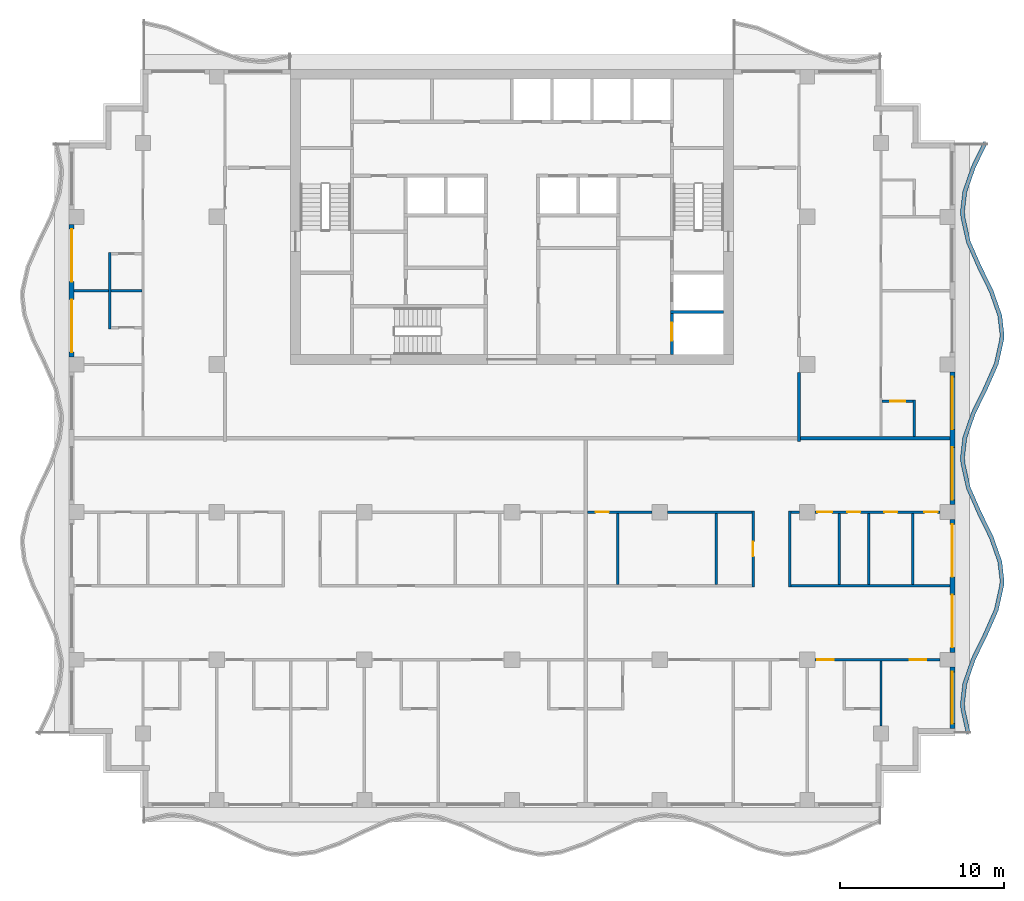
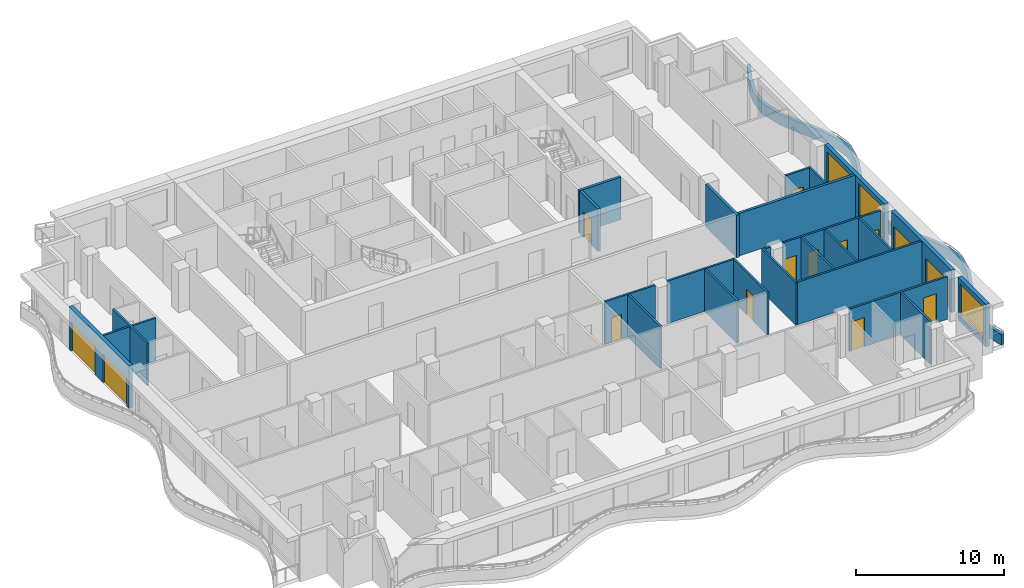
# One storey, part 4 of 11: 28 walls, 14 doors, 3 windows, 17 openings.
"""IFC4 building model written with IfcOpenShell, lengths in metres."""

from ifc_helpers import new_model, si_unit, direction, frame, frame_2d, origin, place, context, subcontext, project, spatial, polyline, rectangle, outline, extrude, material, layer, layer_set, type_object, element, fill, save


model = new_model("IFC4")

# Units and contexts
model_context = context("Model", 3, precision=1e-05, world=origin(), true_north=direction((0.0, 1.0)))
body_context = subcontext(model_context, "Body", "Model", "MODEL_VIEW")
ifc_project = project(units=[si_unit("LENGTHUNIT", "METRE"), si_unit("AREAUNIT", "SQUARE_METRE"), si_unit("VOLUMEUNIT", "CUBIC_METRE"), si_unit("PLANEANGLEUNIT", "RADIAN"), si_unit("MASSUNIT", "GRAM", prefix="KILO")], contexts=[model_context])

# Site, building, storey
site_placement = place(None, origin())
site = spatial("IfcSite", under=ifc_project, at=site_placement, CompositionType="ELEMENT")
building_placement = place(site_placement, origin())
building = spatial("IfcBuilding", under=site, at=building_placement, Name="Orbiselva Terraces", CompositionType="ELEMENT")
storey_placement = place(building_placement, frame((0.0, 0.0, 261.6)))
storey = spatial("IfcBuildingStorey", under=building, at=storey_placement, Name="L66", CompositionType="ELEMENT", Elevation=261.6)

# Wall, opening, door
ifc_material_1 = material(Name="Concrete C60/75", Category="concrete")
ifc_layer_1 = layer(ifc_material_1, 0.2)
ifc_layer_set_1 = layer_set([ifc_layer_1], Name="Concrete C60/75")
wall_type_1 = type_object("IfcWallType", Name="CORE-WALL-SHEAR-200", PredefinedType="SHEAR", material=ifc_layer_set_1)
wall_1_placement = place(storey_placement, frame((9.75, 5.1, 0.0), z_axis=(0.0, 0.0, 1.0), x_axis=(0.0, 1.0, 0.0)))
wall_1 = element("IfcWall", 1, at=wall_1_placement, inside=storey, type_object=wall_type_1, Name="L66 core wall 42", PredefinedType="SHEAR", context=body_context, shape_type="SweptSolid", body=[
    extrude(rectangle(XDim=2.5, YDim=0.2, at=frame_2d((1.25, 0.0))), origin(), (0.0, 0.0, 1.0), 3.5),
])
opening_1_placement = place(wall_1_placement, frame((0.85, 0.0, 0.0)))
opening_1 = element("IfcOpeningElement", 2, at=opening_1_placement, cuts=wall_1, Name="Opening LD-FF1", PredefinedType="OPENING", context=body_context, shape_type="SweptSolid", body=[
    extrude(rectangle(XDim=1.1, YDim=2.1, at=frame_2d((0.55, 1.05))), frame((0.0, 0.11, 0.0), z_axis=(0.0, -1.0, 0.0), x_axis=(1.0, 0.0, 0.0)), (0.0, 0.0, 1.0), 0.22),
])
ifc_material_2 = material(Name="Stainless steel landing door", Category="steel")
door_type_1 = type_object("IfcDoorType", Name="LANDING DOOR 1100", OperationType="SLIDING_TO_LEFT", PredefinedType="DOOR", material=ifc_material_2)
door_1_placement = place(opening_1_placement, origin())
door_1 = element("IfcDoor", 3, at=door_1_placement, inside=storey, type_object=door_type_1, Name="L66 landing door FF1", OperationType="SLIDING_TO_RIGHT", OverallHeight=2.1, OverallWidth=1.1, PredefinedType="DOOR", context=body_context, shape_type="SweptSolid", body=[
    extrude(rectangle(XDim=1.1, YDim=2.1, at=frame_2d((0.55, 1.05))), frame((0.0, 0.025, 0.0), z_axis=(0.0, -1.0, 0.0), x_axis=(1.0, 0.0, 0.0)), (0.0, 0.0, 1.0), 0.05),
])
fill(opening_1, door_1)

# Walls
wall_2_placement = place(storey_placement, frame((9.65, 7.7, 0.0), z_axis=(0.0, 0.0, 1.0), x_axis=(1.0, 0.0, 0.0)))
element("IfcWall", 4, at=wall_2_placement, inside=storey, type_object=wall_type_1, Name="L66 core wall 43", PredefinedType="SHEAR", context=body_context, shape_type="SweptSolid", body=[
    extrude(rectangle(XDim=3.25, YDim=0.2, at=frame_2d((1.625, 0.0))), origin(), (0.0, 0.0, 1.0), 3.5),
])
ifc_material_3 = material(Name="Concrete C40/50", Category="concrete")
ifc_layer_2 = layer(ifc_material_3, 0.25)
ifc_layer_set_2 = layer_set([ifc_layer_2], Name="Concrete C40/50")
wall_type_2 = type_object("IfcWallType", Name="ENV-PLANTER-250x900", PredefinedType="USERDEFINED", material=ifc_layer_set_2)
wall_3_placement = place(storey_placement, origin())
element("IfcWall", 5, at=wall_3_placement, inside=storey, type_object=wall_type_2, Name="Balcony planter L66 E", ObjectType="PLANTER", PredefinedType="USERDEFINED", context=body_context, shape_type="SweptSolid", body=[
    extrude(outline(polyline([(27.951472, -18.0), (27.614774, -16.5), (27.6, -16.125), (27.730792, -15.0), (28.255211, -13.5), (28.987721, -12.0), (29.648528, -10.5), (29.985226, -9.0), (30.0, -8.625), (29.869208, -7.5), (29.344789, -6.0), (28.612279, -4.5), (27.951472, -3.0), (27.614774, -1.5), (27.6, -1.125), (27.730792, 0.0), (28.255211, 1.5), (28.987721, 3.0), (29.648528, 4.5), (29.985226, 6.0), (30.0, 6.375), (29.869208, 7.5), (29.344789, 9.0), (28.612279, 10.5), (27.951472, 12.0), (27.614774, 13.5), (27.6, 13.875), (27.730792, 15.0), (28.255211, 16.5), (28.987721, 18.0), (28.763076, 18.109703), (28.024089, 16.59644), (27.485662, 15.056371), (27.349429, 13.884572), (27.365863, 13.467435), (27.712874, 11.921492), (28.385477, 10.394714), (29.113667, 8.90356), (29.624078, 7.443629), (29.749429, 6.365428), (29.736315, 6.032565), (29.40993, 4.578508), (28.760919, 3.105286), (28.024089, 1.59644), (27.485662, 0.056371), (27.349429, -1.115428), (27.365863, -1.532565), (27.712874, -3.078508), (28.385477, -4.605286), (29.113667, -6.09644), (29.624078, -7.556371), (29.749429, -8.634572), (29.736315, -8.967435), (29.40993, -10.421492), (28.760919, -11.894714), (28.024089, -13.40356), (27.485662, -14.943629), (27.349429, -16.115428), (27.365863, -16.532565), (27.707542, -18.054754), (27.951472, -18.0)])), origin(), (0.0, 0.0, 1.0), 0.9),
])

# Wall, opening, window
ifc_material_4 = material(Name="Terracotta cladding on masonry backing", Category="masonry")
ifc_layer_3 = layer(ifc_material_4, 0.3)
ifc_layer_set_3 = layer_set([ifc_layer_3], Name="Terracotta cladding on masonry backing")
wall_type_3 = type_object("IfcWallType", Name="ENV-WALL-TERRACOTTA-300", PredefinedType="SOLIDWALL", material=ifc_layer_set_3)
wall_4_placement = place(storey_placement, frame((26.85, -13.95, 0.0), z_axis=(0.0, 0.0, 1.0), x_axis=(0.0, -1.0, 0.0)))
wall_4 = element("IfcWall", 6, at=wall_4_placement, inside=storey, type_object=wall_type_3, Name="Facade wall L66 E", PredefinedType="SOLIDWALL", context=body_context, shape_type="SweptSolid", body=[
    extrude(rectangle(XDim=3.75, YDim=0.3, at=frame_2d((1.875, 0.0))), origin(), (0.0, 0.0, 1.0), 3.5),
])
opening_2_placement = place(wall_4_placement, frame((0.3, 0.0, 0.45)))
opening_2 = element("IfcOpeningElement", 7, at=opening_2_placement, cuts=wall_4, Name="Opening WN16", PredefinedType="OPENING", context=body_context, shape_type="SweptSolid", body=[
    extrude(rectangle(XDim=3.15, YDim=2.65, at=frame_2d((1.575, 1.325))), frame((0.0, 0.16, 0.0), z_axis=(0.0, -1.0, 0.0), x_axis=(1.0, 0.0, 0.0)), (0.0, 0.0, 1.0), 0.32),
])
ifc_material_5 = material(Name="Clear low-e glazing in aluminium frame", Category="aluminium")
window_type_1 = type_object("IfcWindowType", Name="WINDOW 3150 X 2650 S450", PartitioningType="TRIPLE_PANEL_VERTICAL", PredefinedType="WINDOW", material=ifc_material_5)
window_1_placement = place(opening_2_placement, origin())
window_1 = element("IfcWindow", 8, at=window_1_placement, inside=storey, type_object=window_type_1, Name="Window L66 E", OverallHeight=2.65, OverallWidth=3.15, PartitioningType="SINGLE_PANEL", PredefinedType="WINDOW", context=body_context, shape_type="SweptSolid", body=[
    extrude(rectangle(XDim=3.15, YDim=2.65, at=frame_2d((1.575, 1.325))), frame((0.0, 0.03, 0.0), z_axis=(0.0, -1.0, 0.0), x_axis=(1.0, 0.0, 0.0)), (0.0, 0.0, 1.0), 0.06),
])
fill(opening_2, window_1)

# Wall, openings, doors
wall_5_placement = place(storey_placement, frame((26.85, -4.95, 0.0), z_axis=(0.0, 0.0, 1.0), x_axis=(0.0, -1.0, 0.0)))
wall_5 = element("IfcWall", 9, at=wall_5_placement, inside=storey, type_object=wall_type_3, Name="Facade wall L66 E", PredefinedType="SOLIDWALL", context=body_context, shape_type="SweptSolid", body=[
    extrude(rectangle(XDim=8.1, YDim=0.3, at=frame_2d((4.05, 0.0))), origin(), (0.0, 0.0, 1.0), 3.5),
])
opening_3_placement = place(wall_5_placement, frame((4.6, 0.0, 0.0)))
opening_3 = element("IfcOpeningElement", 10, at=opening_3_placement, cuts=wall_5, Name="Opening Z5-C-E05", PredefinedType="OPENING", context=body_context, shape_type="SweptSolid", body=[
    extrude(rectangle(XDim=3.2, YDim=2.4, at=frame_2d((1.6, 1.2))), frame((0.0, 0.16, 0.0), z_axis=(0.0, -1.0, 0.0), x_axis=(1.0, 0.0, 0.0)), (0.0, 0.0, 1.0), 0.32),
])
opening_4_placement = place(wall_5_placement, frame((0.3, 0.0, 0.0)))
opening_4 = element("IfcOpeningElement", 11, at=opening_4_placement, cuts=wall_5, Name="Opening Z5-C-E06", PredefinedType="OPENING", context=body_context, shape_type="SweptSolid", body=[
    extrude(rectangle(XDim=3.2, YDim=2.4, at=frame_2d((1.6, 1.2))), frame((0.0, 0.16, 0.0), z_axis=(0.0, -1.0, 0.0), x_axis=(1.0, 0.0, 0.0)), (0.0, 0.0, 1.0), 0.32),
])
door_type_2 = type_object("IfcDoorType", Name="BALCONY DOOR 3200 X 2400", OperationType="DOUBLE_DOOR_SLIDING", PredefinedType="DOOR", material=ifc_material_5)
door_2_placement = place(opening_3_placement, origin())
door_2 = element("IfcDoor", 12, at=door_2_placement, inside=storey, type_object=door_type_2, Name="Z5-C-E05", OperationType="SINGLE_SWING_LEFT", OverallHeight=2.4, OverallWidth=3.2, PredefinedType="DOOR", context=body_context, shape_type="SweptSolid", body=[
    extrude(rectangle(XDim=3.2, YDim=2.4, at=frame_2d((1.6, 1.2))), frame((0.0, 0.025, 0.0), z_axis=(0.0, -1.0, 0.0), x_axis=(1.0, 0.0, 0.0)), (0.0, 0.0, 1.0), 0.05),
])
fill(opening_3, door_2)
door_3_placement = place(opening_4_placement, origin())
door_3 = element("IfcDoor", 13, at=door_3_placement, inside=storey, type_object=door_type_2, Name="Z5-C-E06", OperationType="SINGLE_SWING_LEFT", OverallHeight=2.4, OverallWidth=3.2, PredefinedType="DOOR", context=body_context, shape_type="SweptSolid", body=[
    extrude(rectangle(XDim=3.2, YDim=2.4, at=frame_2d((1.6, 1.2))), frame((0.0, 0.025, 0.0), z_axis=(0.0, -1.0, 0.0), x_axis=(1.0, 0.0, 0.0)), (0.0, 0.0, 1.0), 0.05),
])
fill(opening_4, door_3)

# Wall, openings, windows
wall_6_placement = place(storey_placement, frame((26.85, 4.05, 0.0), z_axis=(0.0, 0.0, 1.0), x_axis=(0.0, -1.0, 0.0)))
wall_6 = element("IfcWall", 14, at=wall_6_placement, inside=storey, type_object=wall_type_3, Name="Facade wall L66 E", PredefinedType="SOLIDWALL", context=body_context, shape_type="SweptSolid", body=[
    extrude(rectangle(XDim=8.1, YDim=0.3, at=frame_2d((4.05, 0.0))), origin(), (0.0, 0.0, 1.0), 3.5),
])
opening_5_placement = place(wall_6_placement, frame((4.6, 0.0, 0.45)))
opening_5 = element("IfcOpeningElement", 15, at=opening_5_placement, cuts=wall_6, Name="Opening WN17", PredefinedType="OPENING", context=body_context, shape_type="SweptSolid", body=[
    extrude(rectangle(XDim=3.2, YDim=2.65, at=frame_2d((1.6, 1.325))), frame((0.0, 0.16, 0.0), z_axis=(0.0, -1.0, 0.0), x_axis=(1.0, 0.0, 0.0)), (0.0, 0.0, 1.0), 0.32),
])
opening_6_placement = place(wall_6_placement, frame((0.3, 0.0, 0.45)))
opening_6 = element("IfcOpeningElement", 16, at=opening_6_placement, cuts=wall_6, Name="Opening WN17", PredefinedType="OPENING", context=body_context, shape_type="SweptSolid", body=[
    extrude(rectangle(XDim=3.2, YDim=2.65, at=frame_2d((1.6, 1.325))), frame((0.0, 0.16, 0.0), z_axis=(0.0, -1.0, 0.0), x_axis=(1.0, 0.0, 0.0)), (0.0, 0.0, 1.0), 0.32),
])
window_type_2 = type_object("IfcWindowType", Name="WINDOW 3200 X 2650 S450", PartitioningType="TRIPLE_PANEL_VERTICAL", PredefinedType="WINDOW", material=ifc_material_5)
window_2_placement = place(opening_5_placement, origin())
window_2 = element("IfcWindow", 17, at=window_2_placement, inside=storey, type_object=window_type_2, Name="Window L66 E", OverallHeight=2.65, OverallWidth=3.2, PartitioningType="SINGLE_PANEL", PredefinedType="WINDOW", context=body_context, shape_type="SweptSolid", body=[
    extrude(rectangle(XDim=3.2, YDim=2.65, at=frame_2d((1.6, 1.325))), frame((0.0, 0.03, 0.0), z_axis=(0.0, -1.0, 0.0), x_axis=(1.0, 0.0, 0.0)), (0.0, 0.0, 1.0), 0.06),
])
fill(opening_5, window_2)
window_3_placement = place(opening_6_placement, origin())
window_3 = element("IfcWindow", 18, at=window_3_placement, inside=storey, type_object=window_type_2, Name="Window L66 E", OverallHeight=2.65, OverallWidth=3.2, PartitioningType="SINGLE_PANEL", PredefinedType="WINDOW", context=body_context, shape_type="SweptSolid", body=[
    extrude(rectangle(XDim=3.2, YDim=2.65, at=frame_2d((1.6, 1.325))), frame((0.0, 0.03, 0.0), z_axis=(0.0, -1.0, 0.0), x_axis=(1.0, 0.0, 0.0)), (0.0, 0.0, 1.0), 0.06),
])
fill(opening_6, window_3)

# Wall, openings, doors
wall_7_placement = place(storey_placement, frame((-26.85, 4.95, 0.0), z_axis=(0.0, 0.0, 1.0), x_axis=(0.0, 1.0, 0.0)))
wall_7 = element("IfcWall", 19, at=wall_7_placement, inside=storey, type_object=wall_type_3, Name="Facade wall L66 W", PredefinedType="SOLIDWALL", context=body_context, shape_type="SweptSolid", body=[
    extrude(rectangle(XDim=8.1, YDim=0.3, at=frame_2d((4.05, 0.0))), origin(), (0.0, 0.0, 1.0), 3.5),
])
opening_7_placement = place(wall_7_placement, frame((4.6, 0.0, 0.0)))
opening_7 = element("IfcOpeningElement", 20, at=opening_7_placement, cuts=wall_7, Name="Opening Z5-C-E10", PredefinedType="OPENING", context=body_context, shape_type="SweptSolid", body=[
    extrude(rectangle(XDim=3.2, YDim=2.4, at=frame_2d((1.6, 1.2))), frame((0.0, 0.16, 0.0), z_axis=(0.0, -1.0, 0.0), x_axis=(1.0, 0.0, 0.0)), (0.0, 0.0, 1.0), 0.32),
])
opening_8_placement = place(wall_7_placement, frame((0.3, 0.0, 0.0)))
opening_8 = element("IfcOpeningElement", 21, at=opening_8_placement, cuts=wall_7, Name="Opening Z5-C-E11", PredefinedType="OPENING", context=body_context, shape_type="SweptSolid", body=[
    extrude(rectangle(XDim=3.2, YDim=2.4, at=frame_2d((1.6, 1.2))), frame((0.0, 0.16, 0.0), z_axis=(0.0, -1.0, 0.0), x_axis=(1.0, 0.0, 0.0)), (0.0, 0.0, 1.0), 0.32),
])
door_4_placement = place(opening_7_placement, origin())
door_4 = element("IfcDoor", 22, at=door_4_placement, inside=storey, type_object=door_type_2, Name="Z5-C-E10", OperationType="SINGLE_SWING_LEFT", OverallHeight=2.4, OverallWidth=3.2, PredefinedType="DOOR", context=body_context, shape_type="SweptSolid", body=[
    extrude(rectangle(XDim=3.2, YDim=2.4, at=frame_2d((1.6, 1.2))), frame((0.0, 0.025, 0.0), z_axis=(0.0, -1.0, 0.0), x_axis=(1.0, 0.0, 0.0)), (0.0, 0.0, 1.0), 0.05),
])
fill(opening_7, door_4)
door_5_placement = place(opening_8_placement, origin())
door_5 = element("IfcDoor", 23, at=door_5_placement, inside=storey, type_object=door_type_2, Name="Z5-C-E11", OperationType="SINGLE_SWING_LEFT", OverallHeight=2.4, OverallWidth=3.2, PredefinedType="DOOR", context=body_context, shape_type="SweptSolid", body=[
    extrude(rectangle(XDim=3.2, YDim=2.4, at=frame_2d((1.6, 1.2))), frame((0.0, 0.025, 0.0), z_axis=(0.0, -1.0, 0.0), x_axis=(1.0, 0.0, 0.0)), (0.0, 0.0, 1.0), 0.05),
])
fill(opening_8, door_5)

# Wall
ifc_material_6 = material(Name="Plasterboard on steel stud partition", Category="steel")
ifc_layer_4 = layer(ifc_material_6, 0.2)
ifc_layer_set_4 = layer_set([ifc_layer_4], Name="Plasterboard on steel stud partition")
wall_type_4 = type_object("IfcWallType", Name="UNIT-ENTRANCE-WALL-200", PredefinedType="PARTITIONING", material=ifc_layer_set_4)
wall_8_placement = place(storey_placement, frame((17.5, -0.2, 0.0), z_axis=(0.0, 0.0, 1.0), x_axis=(0.0, 1.0, 0.0)))
element("IfcWall", 24, at=wall_8_placement, inside=storey, type_object=wall_type_4, Name="PARTITION L66-079", PredefinedType="PARTITIONING", context=body_context, shape_type="SweptSolid", body=[
    extrude(rectangle(XDim=4.225, YDim=0.2, at=frame_2d((2.1125, 0.0))), origin(), (0.0, 0.0, 1.0), 3.5),
])

# Wall, openings, doors
ifc_layer_5 = layer(ifc_material_6, 0.15)
ifc_layer_set_5 = layer_set([ifc_layer_5], Name="Plasterboard on steel stud partition")
wall_type_5 = type_object("IfcWallType", Name="UNIT-PARTITION-150", PredefinedType="PARTITIONING", material=ifc_layer_set_5)
wall_9_placement = place(storey_placement, frame((26.1, -13.5, 0.0), z_axis=(0.0, 0.0, 1.0), x_axis=(-1.0, 0.0, 0.0)))
wall_9 = element("IfcWall", 25, at=wall_9_placement, inside=storey, type_object=wall_type_5, Name="PARTITION L66-015", PredefinedType="PARTITIONING", context=body_context, shape_type="SweptSolid", body=[
    extrude(rectangle(XDim=7.625, YDim=0.15, at=frame_2d((3.8125, 0.0))), origin(), (0.0, 0.0, 1.0), 3.5),
])
opening_9_placement = place(wall_9_placement, frame((6.475, 0.0, 0.0)))
opening_9 = element("IfcOpeningElement", 26, at=opening_9_placement, cuts=wall_9, Name="Opening Z5-C-49", PredefinedType="OPENING", context=body_context, shape_type="SweptSolid", body=[
    extrude(rectangle(XDim=1.0, YDim=2.4, at=frame_2d((0.5, 1.2))), frame((0.0, 0.085, 0.0), z_axis=(0.0, -1.0, 0.0), x_axis=(1.0, 0.0, 0.0)), (0.0, 0.0, 1.0), 0.17),
])
opening_10_placement = place(wall_9_placement, frame((0.85, 0.0, 0.0)))
opening_10 = element("IfcOpeningElement", 27, at=opening_10_placement, cuts=wall_9, Name="Opening Z5-C-51", PredefinedType="OPENING", context=body_context, shape_type="SweptSolid", body=[
    extrude(rectangle(XDim=1.0, YDim=2.4, at=frame_2d((0.5, 1.2))), frame((0.0, 0.085, 0.0), z_axis=(0.0, -1.0, 0.0), x_axis=(1.0, 0.0, 0.0)), (0.0, 0.0, 1.0), 0.17),
])
ifc_material_7 = material(Name="Painted timber door leaf", Category="wood")
door_type_3 = type_object("IfcDoorType", Name="ROOM DOOR 1000", OperationType="NOTDEFINED", PredefinedType="DOOR", material=ifc_material_7)
door_6_placement = place(opening_9_placement, origin())
door_6 = element("IfcDoor", 28, at=door_6_placement, inside=storey, type_object=door_type_3, Name="Z5-C-49", OperationType="SINGLE_SWING_RIGHT", OverallHeight=2.4, OverallWidth=1.0, PredefinedType="DOOR", context=body_context, shape_type="SweptSolid", body=[
    extrude(rectangle(XDim=1.0, YDim=2.4, at=frame_2d((0.5, 1.2))), frame((0.0, 0.025, 0.0), z_axis=(0.0, -1.0, 0.0), x_axis=(1.0, 0.0, 0.0)), (0.0, 0.0, 1.0), 0.05),
])
fill(opening_9, door_6)
door_7_placement = place(opening_10_placement, origin())
door_7 = element("IfcDoor", 29, at=door_7_placement, inside=storey, type_object=door_type_3, Name="Z5-C-51", OperationType="SINGLE_SWING_LEFT", OverallHeight=2.4, OverallWidth=1.0, PredefinedType="DOOR", context=body_context, shape_type="SweptSolid", body=[
    extrude(rectangle(XDim=1.0, YDim=2.4, at=frame_2d((0.5, 1.2))), frame((0.0, 0.025, 0.0), z_axis=(0.0, -1.0, 0.0), x_axis=(1.0, 0.0, 0.0)), (0.0, 0.0, 1.0), 0.05),
])
fill(opening_10, door_7)

# Wall
wall_10_placement = place(storey_placement, frame((17.025, -9.0, 0.0), z_axis=(0.0, 0.0, 1.0), x_axis=(1.0, 0.0, 0.0)))
element("IfcWall", 30, at=wall_10_placement, inside=storey, type_object=wall_type_5, Name="PARTITION L66-019", PredefinedType="PARTITIONING", context=body_context, shape_type="SweptSolid", body=[
    extrude(rectangle(XDim=9.675, YDim=0.15, at=frame_2d((4.8375, 0.0))), origin(), (0.0, 0.0, 1.0), 3.5),
])

# Wall, opening, door
wall_11_placement = place(storey_placement, frame((8.525, -4.5, 0.0), z_axis=(0.0, 0.0, 1.0), x_axis=(-1.0, 0.0, 0.0)))
wall_11 = element("IfcWall", 31, at=wall_11_placement, inside=storey, type_object=wall_type_5, Name="PARTITION L66-025", PredefinedType="PARTITIONING", context=body_context, shape_type="SweptSolid", body=[
    extrude(rectangle(XDim=3.925, YDim=0.15, at=frame_2d((1.9625, 0.0))), origin(), (0.0, 0.0, 1.0), 3.5),
])
opening_11_placement = place(wall_11_placement, frame((2.625, 0.0, 0.0)))
opening_11 = element("IfcOpeningElement", 32, at=opening_11_placement, cuts=wall_11, Name="Opening Z5-C-38", PredefinedType="OPENING", context=body_context, shape_type="SweptSolid", body=[
    extrude(rectangle(XDim=0.8, YDim=2.0, at=frame_2d((0.4, 1.0))), frame((0.0, 0.085, 0.0), z_axis=(0.0, -1.0, 0.0), x_axis=(1.0, 0.0, 0.0)), (0.0, 0.0, 1.0), 0.17),
])
door_type_4 = type_object("IfcDoorType", Name="STORE DOOR 800", OperationType="NOTDEFINED", PredefinedType="DOOR", material=ifc_material_7)
door_8_placement = place(opening_11_placement, origin())
door_8 = element("IfcDoor", 33, at=door_8_placement, inside=storey, type_object=door_type_4, Name="Z5-C-38", OperationType="SINGLE_SWING_RIGHT", OverallHeight=2.0, OverallWidth=0.8, PredefinedType="DOOR", context=body_context, shape_type="SweptSolid", body=[
    extrude(rectangle(XDim=0.8, YDim=2.0, at=frame_2d((0.4, 1.0))), frame((0.0, 0.025, 0.0), z_axis=(0.0, -1.0, 0.0), x_axis=(1.0, 0.0, 0.0)), (0.0, 0.0, 1.0), 0.05),
])
fill(opening_11, door_8)

# Walls
wall_12_placement = place(storey_placement, frame((9.475, -4.5, 0.0), z_axis=(0.0, 0.0, 1.0), x_axis=(1.0, 0.0, 0.0)))
element("IfcWall", 34, at=wall_12_placement, inside=storey, type_object=wall_type_5, Name="PARTITION L66-026", PredefinedType="PARTITIONING", context=body_context, shape_type="SweptSolid", body=[
    extrude(rectangle(XDim=5.15, YDim=0.15, at=frame_2d((2.575, 0.0))), origin(), (0.0, 0.0, 1.0), 3.5),
])
wall_13_placement = place(storey_placement, frame((17.025, -4.5, 0.0), z_axis=(0.0, 0.0, 1.0), x_axis=(1.0, 0.0, 0.0)))
element("IfcWall", 35, at=wall_13_placement, inside=storey, type_object=wall_type_5, Name="PARTITION L66-027", PredefinedType="PARTITIONING", context=body_context, shape_type="SweptSolid", body=[
    extrude(rectangle(XDim=0.5, YDim=0.15, at=frame_2d((0.25, 0.0))), origin(), (0.0, 0.0, 1.0), 3.5),
])

# Wall, openings, doors
wall_14_placement = place(storey_placement, frame((26.1, -4.5, 0.0), z_axis=(0.0, 0.0, 1.0), x_axis=(-1.0, 0.0, 0.0)))
wall_14 = element("IfcWall", 36, at=wall_14_placement, inside=storey, type_object=wall_type_5, Name="PARTITION L66-028", PredefinedType="PARTITIONING", context=body_context, shape_type="SweptSolid", body=[
    extrude(rectangle(XDim=7.625, YDim=0.15, at=frame_2d((3.8125, 0.0))), origin(), (0.0, 0.0, 1.0), 3.5),
])
opening_12_placement = place(wall_14_placement, frame((6.575, 0.0, 0.0)))
opening_12 = element("IfcOpeningElement", 37, at=opening_12_placement, cuts=wall_14, Name="Opening Z5-C-41", PredefinedType="OPENING", context=body_context, shape_type="SweptSolid", body=[
    extrude(rectangle(XDim=0.9, YDim=2.1, at=frame_2d((0.45, 1.05))), frame((0.0, 0.085, 0.0), z_axis=(0.0, -1.0, 0.0), x_axis=(1.0, 0.0, 0.0)), (0.0, 0.0, 1.0), 0.17),
])
opening_13_placement = place(wall_14_placement, frame((4.85, 0.0, 0.0)))
opening_13 = element("IfcOpeningElement", 38, at=opening_13_placement, cuts=wall_14, Name="Opening Z5-C-42", PredefinedType="OPENING", context=body_context, shape_type="SweptSolid", body=[
    extrude(rectangle(XDim=0.8, YDim=2.0, at=frame_2d((0.4, 1.0))), frame((0.0, 0.085, 0.0), z_axis=(0.0, -1.0, 0.0), x_axis=(1.0, 0.0, 0.0)), (0.0, 0.0, 1.0), 0.17),
])
opening_14_placement = place(wall_14_placement, frame((2.6, 0.0, 0.0)))
opening_14 = element("IfcOpeningElement", 39, at=opening_14_placement, cuts=wall_14, Name="Opening Z5-C-43", PredefinedType="OPENING", context=body_context, shape_type="SweptSolid", body=[
    extrude(rectangle(XDim=0.8, YDim=2.0, at=frame_2d((0.4, 1.0))), frame((0.0, 0.085, 0.0), z_axis=(0.0, -1.0, 0.0), x_axis=(1.0, 0.0, 0.0)), (0.0, 0.0, 1.0), 0.17),
])
opening_15_placement = place(wall_14_placement, frame((0.15, 0.0, 0.0)))
opening_15 = element("IfcOpeningElement", 40, at=opening_15_placement, cuts=wall_14, Name="Opening Z5-C-44", PredefinedType="OPENING", context=body_context, shape_type="SweptSolid", body=[
    extrude(rectangle(XDim=0.8, YDim=2.0, at=frame_2d((0.4, 1.0))), frame((0.0, 0.085, 0.0), z_axis=(0.0, -1.0, 0.0), x_axis=(1.0, 0.0, 0.0)), (0.0, 0.0, 1.0), 0.17),
])
door_type_5 = type_object("IfcDoorType", Name="SERVICE DOOR 900", OperationType="NOTDEFINED", PredefinedType="DOOR", material=ifc_material_7)
door_9_placement = place(opening_12_placement, origin())
door_9 = element("IfcDoor", 41, at=door_9_placement, inside=storey, type_object=door_type_5, Name="Z5-C-41", OperationType="SINGLE_SWING_RIGHT", OverallHeight=2.1, OverallWidth=0.9, PredefinedType="DOOR", context=body_context, shape_type="SweptSolid", body=[
    extrude(rectangle(XDim=0.9, YDim=2.1, at=frame_2d((0.45, 1.05))), frame((0.0, 0.025, 0.0), z_axis=(0.0, -1.0, 0.0), x_axis=(1.0, 0.0, 0.0)), (0.0, 0.0, 1.0), 0.05),
])
fill(opening_12, door_9)
door_10_placement = place(opening_13_placement, origin())
door_10 = element("IfcDoor", 42, at=door_10_placement, inside=storey, type_object=door_type_4, Name="Z5-C-42", OperationType="SINGLE_SWING_RIGHT", OverallHeight=2.0, OverallWidth=0.8, PredefinedType="DOOR", context=body_context, shape_type="SweptSolid", body=[
    extrude(rectangle(XDim=0.8, YDim=2.0, at=frame_2d((0.4, 1.0))), frame((0.0, 0.025, 0.0), z_axis=(0.0, -1.0, 0.0), x_axis=(1.0, 0.0, 0.0)), (0.0, 0.0, 1.0), 0.05),
])
fill(opening_13, door_10)
door_11_placement = place(opening_14_placement, origin())
door_11 = element("IfcDoor", 43, at=door_11_placement, inside=storey, type_object=door_type_4, Name="Z5-C-43", OperationType="SINGLE_SWING_LEFT", OverallHeight=2.0, OverallWidth=0.8, PredefinedType="DOOR", context=body_context, shape_type="SweptSolid", body=[
    extrude(rectangle(XDim=0.8, YDim=2.0, at=frame_2d((0.4, 1.0))), frame((0.0, 0.025, 0.0), z_axis=(0.0, -1.0, 0.0), x_axis=(1.0, 0.0, 0.0)), (0.0, 0.0, 1.0), 0.05),
])
fill(opening_14, door_11)
door_12_placement = place(opening_15_placement, origin())
door_12 = element("IfcDoor", 44, at=door_12_placement, inside=storey, type_object=door_type_4, Name="Z5-C-44", OperationType="SINGLE_SWING_LEFT", OverallHeight=2.0, OverallWidth=0.8, PredefinedType="DOOR", context=body_context, shape_type="SweptSolid", body=[
    extrude(rectangle(XDim=0.8, YDim=2.0, at=frame_2d((0.4, 1.0))), frame((0.0, 0.025, 0.0), z_axis=(0.0, -1.0, 0.0), x_axis=(1.0, 0.0, 0.0)), (0.0, 0.0, 1.0), 0.05),
])
fill(opening_15, door_12)

# Wall, opening, door
wall_15_placement = place(storey_placement, frame((24.45, 2.25, 0.0), z_axis=(0.0, 0.0, 1.0), x_axis=(-1.0, 0.0, 0.0)))
wall_15 = element("IfcWall", 45, at=wall_15_placement, inside=storey, type_object=wall_type_5, Name="PARTITION L66-032", PredefinedType="PARTITIONING", context=body_context, shape_type="SweptSolid", body=[
    extrude(rectangle(XDim=1.875, YDim=0.15, at=frame_2d((0.9375, 0.0))), origin(), (0.0, 0.0, 1.0), 3.5),
])
opening_16_placement = place(wall_15_placement, frame((0.475, 0.0, 0.0)))
opening_16 = element("IfcOpeningElement", 46, at=opening_16_placement, cuts=wall_15, Name="Opening Z5-C-11", PredefinedType="OPENING", context=body_context, shape_type="SweptSolid", body=[
    extrude(rectangle(XDim=0.9, YDim=2.1, at=frame_2d((0.45, 1.05))), frame((0.0, 0.085, 0.0), z_axis=(0.0, -1.0, 0.0), x_axis=(1.0, 0.0, 0.0)), (0.0, 0.0, 1.0), 0.17),
])
door_type_6 = type_object("IfcDoorType", Name="BATH DOOR 900", OperationType="NOTDEFINED", PredefinedType="DOOR", material=ifc_material_7)
door_13_placement = place(opening_16_placement, origin())
door_13 = element("IfcDoor", 47, at=door_13_placement, inside=storey, type_object=door_type_6, Name="Z5-C-11", OperationType="SINGLE_SWING_LEFT", OverallHeight=2.1, OverallWidth=0.9, PredefinedType="DOOR", context=body_context, shape_type="SweptSolid", body=[
    extrude(rectangle(XDim=0.9, YDim=2.1, at=frame_2d((0.45, 1.05))), frame((0.0, 0.025, 0.0), z_axis=(0.0, -1.0, 0.0), x_axis=(1.0, 0.0, 0.0)), (0.0, 0.0, 1.0), 0.05),
])
fill(opening_16, door_13)

# Walls
wall_16_placement = place(storey_placement, frame((-26.7, 9.0, 0.0), z_axis=(0.0, 0.0, 1.0), x_axis=(1.0, 0.0, 0.0)))
element("IfcWall", 48, at=wall_16_placement, inside=storey, type_object=wall_type_5, Name="PARTITION L66-035", PredefinedType="PARTITIONING", context=body_context, shape_type="SweptSolid", body=[
    extrude(rectangle(XDim=2.1, YDim=0.15, at=frame_2d((1.05, 0.0))), origin(), (0.0, 0.0, 1.0), 3.5),
])
wall_17_placement = place(storey_placement, frame((-24.45, 9.0, 0.0), z_axis=(0.0, 0.0, 1.0), x_axis=(1.0, 0.0, 0.0)))
element("IfcWall", 49, at=wall_17_placement, inside=storey, type_object=wall_type_5, Name="PARTITION L66-036", PredefinedType="PARTITIONING", context=body_context, shape_type="SweptSolid", body=[
    extrude(rectangle(XDim=1.875, YDim=0.15, at=frame_2d((0.9375, 0.0))), origin(), (0.0, 0.0, 1.0), 3.5),
])
wall_18_placement = place(storey_placement, frame((-24.525, 6.675, 0.0), z_axis=(0.0, 0.0, 1.0), x_axis=(0.0, 1.0, 0.0)))
element("IfcWall", 50, at=wall_18_placement, inside=storey, type_object=wall_type_5, Name="PARTITION L66-044", PredefinedType="PARTITIONING", context=body_context, shape_type="SweptSolid", body=[
    extrude(rectangle(XDim=4.65, YDim=0.15, at=frame_2d((2.325, 0.0))), origin(), (0.0, 0.0, 1.0), 3.5),
])
for number, where, z_axis, x_axis, name in (
    (51, (6.45, -8.925, 0.0), (0.0, 0.0, 1.0), (0.0, 1.0, 0.0), "PARTITION L66-072"),
    (52, (12.45, -8.925, 0.0), (0.0, 0.0, 1.0), (0.0, 1.0, 0.0), "PARTITION L66-074"),
):
    element("IfcWall", number, at=place(storey_placement, frame(where, z_axis=z_axis, x_axis=x_axis)), inside=storey, type_object=wall_type_5, Name=name, PredefinedType="PARTITIONING", context=body_context, shape_type="SweptSolid", body=[
        extrude(rectangle(XDim=4.35, YDim=0.15, at=frame_2d((2.175, 0.0))), origin(), (0.0, 0.0, 1.0), 3.5),
    ])

# Wall, opening, door
wall_19_placement = place(storey_placement, frame((14.7, -9.075, 0.0), z_axis=(0.0, 0.0, 1.0), x_axis=(0.0, 1.0, 0.0)))
wall_19 = element("IfcWall", 53, at=wall_19_placement, inside=storey, type_object=wall_type_5, Name="PARTITION L66-076", PredefinedType="PARTITIONING", context=body_context, shape_type="SweptSolid", body=[
    extrude(rectangle(XDim=4.65, YDim=0.15, at=frame_2d((2.325, 0.0))), origin(), (0.0, 0.0, 1.0), 3.5),
])
opening_17_placement = place(wall_19_placement, frame((1.875, 0.0, 0.0)))
opening_17 = element("IfcOpeningElement", 54, at=opening_17_placement, cuts=wall_19, Name="Opening Z5-C-40", PredefinedType="OPENING", context=body_context, shape_type="SweptSolid", body=[
    extrude(rectangle(XDim=0.9, YDim=2.1, at=frame_2d((0.45, 1.05))), frame((0.0, 0.085, 0.0), z_axis=(0.0, -1.0, 0.0), x_axis=(1.0, 0.0, 0.0)), (0.0, 0.0, 1.0), 0.17),
])
door_14_placement = place(opening_17_placement, origin())
door_14 = element("IfcDoor", 55, at=door_14_placement, inside=storey, type_object=door_type_6, Name="Z5-C-40", OperationType="SINGLE_SWING_LEFT", OverallHeight=2.1, OverallWidth=0.9, PredefinedType="DOOR", context=body_context, shape_type="SweptSolid", body=[
    extrude(rectangle(XDim=0.9, YDim=2.1, at=frame_2d((0.45, 1.05))), frame((0.0, 0.025, 0.0), z_axis=(0.0, -1.0, 0.0), x_axis=(1.0, 0.0, 0.0)), (0.0, 0.0, 1.0), 0.05),
])
fill(opening_17, door_14)

# Walls
wall_20_placement = place(storey_placement, frame((16.95, -9.075, 0.0), z_axis=(0.0, 0.0, 1.0), x_axis=(0.0, 1.0, 0.0)))
element("IfcWall", 56, at=wall_20_placement, inside=storey, type_object=wall_type_5, Name="PARTITION L66-078", PredefinedType="PARTITIONING", context=body_context, shape_type="SweptSolid", body=[
    extrude(rectangle(XDim=4.65, YDim=0.15, at=frame_2d((2.325, 0.0))), origin(), (0.0, 0.0, 1.0), 3.5),
])
for number, where, z_axis, x_axis, name in (
    (57, (19.95, -8.925, 0.0), (0.0, 0.0, 1.0), (0.0, 1.0, 0.0), "PARTITION L66-084"),
    (58, (21.75, -8.925, 0.0), (0.0, 0.0, 1.0), (0.0, 1.0, 0.0), "PARTITION L66-086"),
):
    element("IfcWall", number, at=place(storey_placement, frame(where, z_axis=z_axis, x_axis=x_axis)), inside=storey, type_object=wall_type_5, Name=name, PredefinedType="PARTITIONING", context=body_context, shape_type="SweptSolid", body=[
        extrude(rectangle(XDim=4.35, YDim=0.15, at=frame_2d((2.175, 0.0))), origin(), (0.0, 0.0, 1.0), 3.5),
    ])
wall_21_placement = place(storey_placement, frame((22.5, -17.55, 0.0), z_axis=(0.0, 0.0, 1.0), x_axis=(0.0, 1.0, 0.0)))
element("IfcWall", 59, at=wall_21_placement, inside=storey, type_object=wall_type_5, Name="PARTITION L66-088", PredefinedType="PARTITIONING", context=body_context, shape_type="SweptSolid", body=[
    extrude(rectangle(XDim=3.975, YDim=0.15, at=frame_2d((1.9875, 0.0))), origin(), (0.0, 0.0, 1.0), 3.5),
])
wall_22_placement = place(storey_placement, frame((24.45, -8.925, 0.0), z_axis=(0.0, 0.0, 1.0), x_axis=(0.0, 1.0, 0.0)))
element("IfcWall", 60, at=wall_22_placement, inside=storey, type_object=wall_type_5, Name="PARTITION L66-091", PredefinedType="PARTITIONING", context=body_context, shape_type="SweptSolid", body=[
    extrude(rectangle(XDim=4.35, YDim=0.15, at=frame_2d((2.175, 0.0))), origin(), (0.0, 0.0, 1.0), 3.5),
])
wall_23_placement = place(storey_placement, frame((24.525, 0.1, 0.0), z_axis=(0.0, 0.0, 1.0), x_axis=(0.0, 1.0, 0.0)))
element("IfcWall", 61, at=wall_23_placement, inside=storey, type_object=wall_type_5, Name="PARTITION L66-092", PredefinedType="PARTITIONING", context=body_context, shape_type="SweptSolid", body=[
    extrude(rectangle(XDim=2.225, YDim=0.15, at=frame_2d((1.1125, 0.0))), origin(), (0.0, 0.0, 1.0), 3.5),
])
ifc_layer_6 = layer(ifc_material_6, 0.2)
ifc_layer_set_6 = layer_set([ifc_layer_6], Name="Plasterboard on steel stud partition")
wall_type_6 = type_object("IfcWallType", Name="UNIT-PARTY-WALL-200", PredefinedType="PARTITIONING", material=ifc_layer_set_6)
wall_24_placement = place(storey_placement, frame((17.6, 0.0, 0.0), z_axis=(0.0, 0.0, 1.0), x_axis=(1.0, 0.0, 0.0)))
element("IfcWall", 62, at=wall_24_placement, inside=storey, type_object=wall_type_6, Name="PARTITION L66-031", PredefinedType="PARTITIONING", context=body_context, shape_type="SweptSolid", body=[
    extrude(rectangle(XDim=9.1, YDim=0.2, at=frame_2d((4.55, 0.0))), origin(), (0.0, 0.0, 1.0), 3.5),
])

save(model, "model.ifc")
